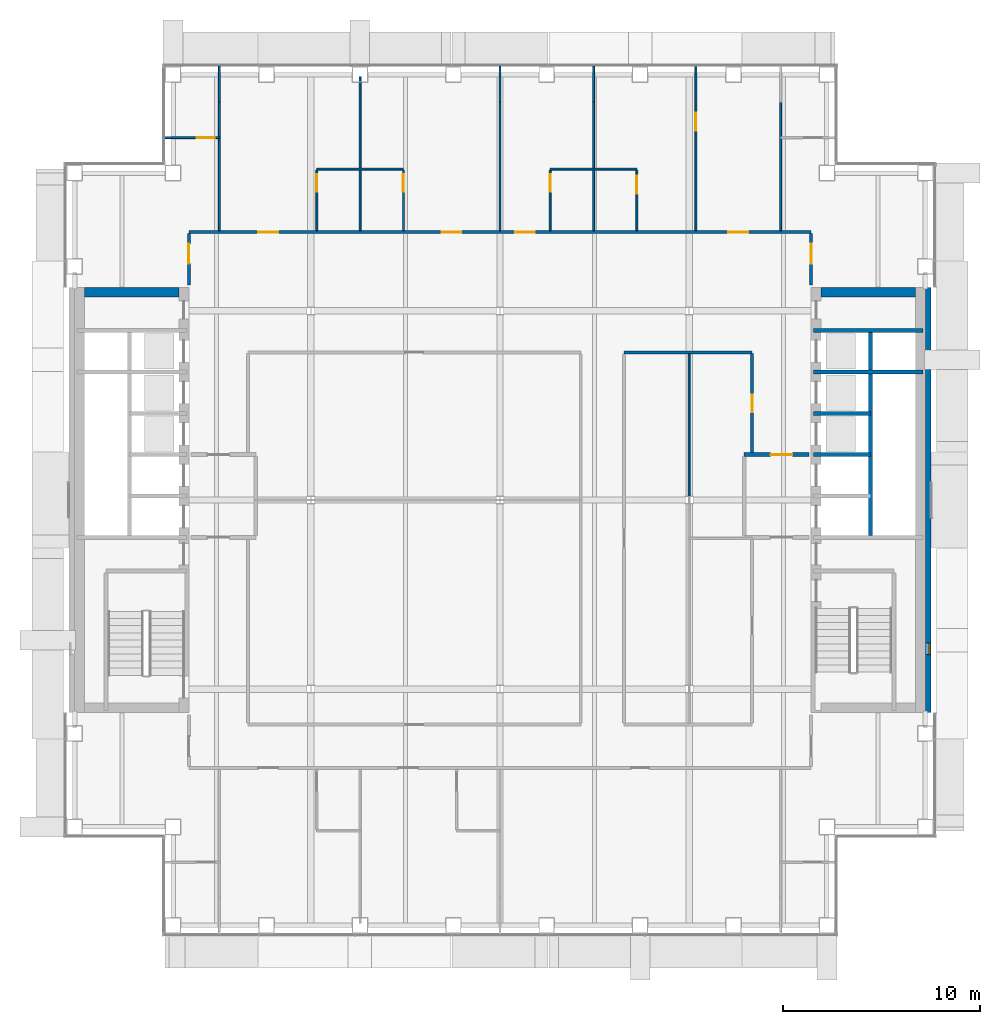
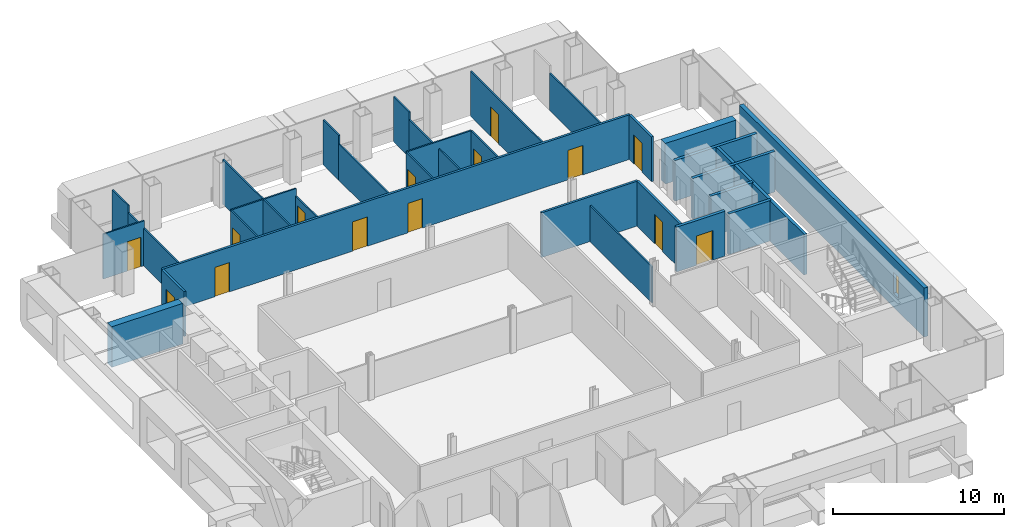
# One storey, part 14 of 21: 34 walls, 14 doors, 1 window, 15 openings.
"""IFC4 building model written with IfcOpenShell, lengths in metres."""

from ifc_helpers import new_model, si_unit, direction, frame, frame_2d, origin, place, context, subcontext, project, spatial, rectangle, extrude, material, layer, layer_set, type_object, element, fill, save


model = new_model("IFC4")

# Units and contexts
model_context = context("Model", 3, precision=1e-05, world=origin(), true_north=direction((0.0, 1.0)))
body_context = subcontext(model_context, "Body", "Model", "MODEL_VIEW")
ifc_project = project(units=[si_unit("LENGTHUNIT", "METRE"), si_unit("AREAUNIT", "SQUARE_METRE"), si_unit("VOLUMEUNIT", "CUBIC_METRE"), si_unit("PLANEANGLEUNIT", "RADIAN"), si_unit("MASSUNIT", "GRAM", prefix="KILO")], contexts=[model_context])

# Site, building, storey
site_placement = place(None, origin())
site = spatial("IfcSite", under=ifc_project, at=site_placement, CompositionType="ELEMENT")
building_placement = place(site_placement, origin())
building = spatial("IfcBuilding", under=site, at=building_placement, Name="Cobrizo Arcos Hotel Tower", CompositionType="ELEMENT")
storey_placement = place(building_placement, frame((0.0, 0.0, 183.0)))
storey = spatial("IfcBuildingStorey", under=building, at=storey_placement, Name="L47", CompositionType="ELEMENT", Elevation=183.0)

# Wall
ifc_material_1 = material(Name="Gypsum board partition")
ifc_layer_1 = layer(ifc_material_1, 0.14990234375)
ifc_layer_set_1 = layer_set([ifc_layer_1], Name="Corridor wall EI 60 150")
wall_type_1 = type_object("IfcWallType", Name="Corridor wall EI 60 150", PredefinedType="PARTITIONING", material=ifc_layer_set_1)
wall_1_placement = place(storey_placement, frame((6.300048828125, 7.5, 0.0), z_axis=(0.0, 0.0, 1.0), x_axis=(1.0, 0.0, 0.0)))
element("IfcWall", 1, at=wall_1_placement, inside=storey, type_object=wall_type_1, Name="Partition 031", PredefinedType="PARTITIONING", context=body_context, shape_type="SweptSolid", body=[
    extrude(rectangle(XDim=6.5, YDim=0.14990234375, at=frame_2d((3.25, 0.0))), origin(), (0.0, 0.0, 1.0), 3.199951171875),
])

# Wall, openings, doors
wall_2_placement = place(storey_placement, frame((-15.800048828125, 13.60009765625, 0.0), z_axis=(0.0, 0.0, 1.0), x_axis=(1.0, 0.0, 0.0)))
wall_2 = element("IfcWall", 2, at=wall_2_placement, inside=storey, type_object=wall_type_1, Name="Partition 034", PredefinedType="PARTITIONING", context=body_context, shape_type="SweptSolid", body=[
    extrude(rectangle(XDim=31.60009765625, YDim=0.14990234375, at=frame_2d((15.800048828125, 0.0))), origin(), (0.0, 0.0, 1.0), 3.199951171875),
])
opening_1_placement = place(wall_2_placement, frame((3.529052734375, 0.0, 0.0)))
opening_1 = element("IfcOpeningElement", 3, at=opening_1_placement, cuts=wall_2, Name="Opening GD-01", PredefinedType="OPENING", context=body_context, shape_type="SweptSolid", body=[
    extrude(rectangle(XDim=1.0, YDim=2.10009765625, at=frame_2d((0.5, 1.050048828125))), frame((0.0, 0.0869140625, 0.0), z_axis=(0.0, -1.0, 0.0), x_axis=(1.0, 0.0, 0.0)), (0.0, 0.0, 1.0), 0.173828125),
])
opening_2_placement = place(wall_2_placement, frame((12.843017578125, 0.0, 0.0)))
opening_2 = element("IfcOpeningElement", 4, at=opening_2_placement, cuts=wall_2, Name="Opening GD-02", PredefinedType="OPENING", context=body_context, shape_type="SweptSolid", body=[
    extrude(rectangle(XDim=1.0, YDim=2.10009765625, at=frame_2d((0.5, 1.050048828125))), frame((0.0, 0.0869140625, 0.0), z_axis=(0.0, -1.0, 0.0), x_axis=(1.0, 0.0, 0.0)), (0.0, 0.0, 1.0), 0.173828125),
])
opening_3_placement = place(wall_2_placement, frame((16.572021484375, 0.0, 0.0)))
opening_3 = element("IfcOpeningElement", 5, at=opening_3_placement, cuts=wall_2, Name="Opening GD-03", PredefinedType="OPENING", context=body_context, shape_type="SweptSolid", body=[
    extrude(rectangle(XDim=1.0, YDim=2.10009765625, at=frame_2d((0.5, 1.050048828125))), frame((0.0, 0.0869140625, 0.0), z_axis=(0.0, -1.0, 0.0), x_axis=(1.0, 0.0, 0.0)), (0.0, 0.0, 1.0), 0.173828125),
])
opening_4_placement = place(wall_2_placement, frame((27.39501953125, 0.0, 0.0)))
opening_4 = element("IfcOpeningElement", 6, at=opening_4_placement, cuts=wall_2, Name="Opening GD-04", PredefinedType="OPENING", context=body_context, shape_type="SweptSolid", body=[
    extrude(rectangle(XDim=1.0, YDim=2.10009765625, at=frame_2d((0.5, 1.050048828125))), frame((0.0, 0.0869140625, 0.0), z_axis=(0.0, -1.0, 0.0), x_axis=(1.0, 0.0, 0.0)), (0.0, 0.0, 1.0), 0.173828125),
])
ifc_material_2 = material(Name="Timber door leaf", Category="wood")
door_type_1 = type_object("IfcDoorType", Name="Guest room door FD30S 1000x2100", OperationType="SINGLE_SWING_LEFT", PredefinedType="DOOR", material=ifc_material_2)
door_1_placement = place(opening_1_placement, origin())
door_1 = element("IfcDoor", 7, at=door_1_placement, inside=storey, type_object=door_type_1, Name="Door GD-01", OperationType="SINGLE_SWING_RIGHT", OverallHeight=2.10009765625, OverallWidth=1.0, PredefinedType="DOOR", context=body_context, shape_type="SweptSolid", body=[
    extrude(rectangle(XDim=1.0, YDim=2.10009765625, at=frame_2d((0.5, 1.050048828125))), frame((0.0, 0.02490234375, 0.0), z_axis=(0.0, -1.0, 0.0), x_axis=(1.0, 0.0, 0.0)), (0.0, 0.0, 1.0), 0.050048828125),
])
fill(opening_1, door_1)
door_2_placement = place(opening_2_placement, origin())
door_2 = element("IfcDoor", 8, at=door_2_placement, inside=storey, type_object=door_type_1, Name="Door GD-02", OperationType="SINGLE_SWING_RIGHT", OverallHeight=2.10009765625, OverallWidth=1.0, PredefinedType="DOOR", context=body_context, shape_type="SweptSolid", body=[
    extrude(rectangle(XDim=1.0, YDim=2.10009765625, at=frame_2d((0.5, 1.050048828125))), frame((0.0, 0.02490234375, 0.0), z_axis=(0.0, -1.0, 0.0), x_axis=(1.0, 0.0, 0.0)), (0.0, 0.0, 1.0), 0.050048828125),
])
fill(opening_2, door_2)
door_3_placement = place(opening_3_placement, origin())
door_3 = element("IfcDoor", 9, at=door_3_placement, inside=storey, type_object=door_type_1, Name="Door GD-03", OperationType="SINGLE_SWING_RIGHT", OverallHeight=2.10009765625, OverallWidth=1.0, PredefinedType="DOOR", context=body_context, shape_type="SweptSolid", body=[
    extrude(rectangle(XDim=1.0, YDim=2.10009765625, at=frame_2d((0.5, 1.050048828125))), frame((0.0, 0.02490234375, 0.0), z_axis=(0.0, -1.0, 0.0), x_axis=(1.0, 0.0, 0.0)), (0.0, 0.0, 1.0), 0.050048828125),
])
fill(opening_3, door_3)
door_4_placement = place(opening_4_placement, origin())
door_4 = element("IfcDoor", 10, at=door_4_placement, inside=storey, type_object=door_type_1, Name="Door GD-04", OperationType="SINGLE_SWING_LEFT", OverallHeight=2.10009765625, OverallWidth=1.0, PredefinedType="DOOR", context=body_context, shape_type="SweptSolid", body=[
    extrude(rectangle(XDim=1.0, YDim=2.10009765625, at=frame_2d((0.5, 1.050048828125))), frame((0.0, 0.02490234375, 0.0), z_axis=(0.0, -1.0, 0.0), x_axis=(1.0, 0.0, 0.0)), (0.0, 0.0, 1.0), 0.050048828125),
])
fill(opening_4, door_4)

# Wall, opening, door
wall_3_placement = place(storey_placement, frame((-15.800048828125, 10.919921875, 0.0), z_axis=(0.0, 0.0, 1.0), x_axis=(0.0, 1.0, 0.0)))
wall_3 = element("IfcWall", 11, at=wall_3_placement, inside=storey, type_object=wall_type_1, Name="Partition 044", PredefinedType="PARTITIONING", context=body_context, shape_type="SweptSolid", body=[
    extrude(rectangle(XDim=2.60498046875, YDim=0.14990234375, at=frame_2d((1.302490234375, 0.0))), origin(), (0.0, 0.0, 1.0), 3.199951171875),
])
opening_5_placement = place(wall_3_placement, frame((1.080078125, 0.0, 0.0)))
opening_5 = element("IfcOpeningElement", 12, at=opening_5_placement, cuts=wall_3, Name="Opening GD-08", PredefinedType="OPENING", context=body_context, shape_type="SweptSolid", body=[
    extrude(rectangle(XDim=1.0, YDim=2.10009765625, at=frame_2d((0.5, 1.050048828125))), frame((0.0, 0.0869140625, 0.0), z_axis=(0.0, -1.0, 0.0), x_axis=(1.0, 0.0, 0.0)), (0.0, 0.0, 1.0), 0.173828125),
])
door_5_placement = place(opening_5_placement, origin())
door_5 = element("IfcDoor", 13, at=door_5_placement, inside=storey, type_object=door_type_1, Name="Door GD-08", OperationType="SINGLE_SWING_RIGHT", OverallHeight=2.10009765625, OverallWidth=1.0, PredefinedType="DOOR", context=body_context, shape_type="SweptSolid", body=[
    extrude(rectangle(XDim=1.0, YDim=2.10009765625, at=frame_2d((0.5, 1.050048828125))), frame((0.0, 0.02490234375, 0.0), z_axis=(0.0, -1.0, 0.0), x_axis=(1.0, 0.0, 0.0)), (0.0, 0.0, 1.0), 0.050048828125),
])
fill(opening_5, door_5)

wall_4_placement = place(storey_placement, frame((12.800048828125, 2.39990234375, 0.0), z_axis=(0.0, 0.0, 1.0), x_axis=(0.0, 1.0, 0.0)))
wall_4 = element("IfcWall", 14, at=wall_4_placement, inside=storey, type_object=wall_type_1, Name="Partition 078", PredefinedType="PARTITIONING", context=body_context, shape_type="SweptSolid", body=[
    extrude(rectangle(XDim=5.050048828125, YDim=0.14990234375, at=frame_2d((2.52490234375, 0.0))), origin(), (0.0, 0.0, 1.0), 3.199951171875),
])
opening_6_placement = place(wall_4_placement, frame((2.050048828125, 0.0, 0.0)))
opening_6 = element("IfcOpeningElement", 15, at=opening_6_placement, cuts=wall_4, Name="Opening ED-12", PredefinedType="OPENING", context=body_context, shape_type="SweptSolid", body=[
    extrude(rectangle(XDim=0.89990234375, YDim=2.10009765625, at=frame_2d((0.449951171875, 1.050048828125))), frame((0.0, 0.0869140625, 0.0), z_axis=(0.0, -1.0, 0.0), x_axis=(1.0, 0.0, 0.0)), (0.0, 0.0, 1.0), 0.173828125),
])
door_type_2 = type_object("IfcDoorType", Name="En-suite door 900x2100", OperationType="SINGLE_SWING_LEFT", PredefinedType="DOOR", material=ifc_material_2)
door_6_placement = place(opening_6_placement, origin())
door_6 = element("IfcDoor", 16, at=door_6_placement, inside=storey, type_object=door_type_2, Name="Door ED-12", OperationType="SINGLE_SWING_LEFT", OverallHeight=2.10009765625, OverallWidth=0.89990234375, PredefinedType="DOOR", context=body_context, shape_type="SweptSolid", body=[
    extrude(rectangle(XDim=0.89990234375, YDim=2.10009765625, at=frame_2d((0.449951171875, 1.050048828125))), frame((0.0, 0.02490234375, 0.0), z_axis=(0.0, -1.0, 0.0), x_axis=(1.0, 0.0, 0.0)), (0.0, 0.0, 1.0), 0.050048828125),
])
fill(opening_6, door_6)

wall_5_placement = place(storey_placement, frame((15.800048828125, 10.919921875, 0.0), z_axis=(0.0, 0.0, 1.0), x_axis=(0.0, 1.0, 0.0)))
wall_5 = element("IfcWall", 17, at=wall_5_placement, inside=storey, type_object=wall_type_1, Name="Partition 084", PredefinedType="PARTITIONING", context=body_context, shape_type="SweptSolid", body=[
    extrude(rectangle(XDim=2.60498046875, YDim=0.14990234375, at=frame_2d((1.302490234375, 0.0))), origin(), (0.0, 0.0, 1.0), 3.199951171875),
])
opening_7_placement = place(wall_5_placement, frame((1.080078125, 0.0, 0.0)))
opening_7 = element("IfcOpeningElement", 18, at=opening_7_placement, cuts=wall_5, Name="Opening GD-10", PredefinedType="OPENING", context=body_context, shape_type="SweptSolid", body=[
    extrude(rectangle(XDim=1.0, YDim=2.10009765625, at=frame_2d((0.5, 1.050048828125))), frame((0.0, 0.0869140625, 0.0), z_axis=(0.0, -1.0, 0.0), x_axis=(1.0, 0.0, 0.0)), (0.0, 0.0, 1.0), 0.173828125),
])
door_7_placement = place(opening_7_placement, origin())
door_7 = element("IfcDoor", 19, at=door_7_placement, inside=storey, type_object=door_type_1, Name="Door GD-10", OperationType="SINGLE_SWING_RIGHT", OverallHeight=2.10009765625, OverallWidth=1.0, PredefinedType="DOOR", context=body_context, shape_type="SweptSolid", body=[
    extrude(rectangle(XDim=1.0, YDim=2.10009765625, at=frame_2d((0.5, 1.050048828125))), frame((0.0, 0.02490234375, 0.0), z_axis=(0.0, -1.0, 0.0), x_axis=(1.0, 0.0, 0.0)), (0.0, 0.0, 1.0), 0.050048828125),
])
fill(opening_7, door_7)

# Wall, opening, window
ifc_material_3 = material(Name="Aluminium composite panel pale metal", Category="aluminium")
ifc_layer_2 = layer(ifc_material_3, 0.27490234375)
ifc_layer_set_2 = layer_set([ifc_layer_2], Name="EW-1 insulated panel wall 275")
wall_type_2 = type_object("IfcWallType", Name="EW-1 insulated panel wall 275", PredefinedType="SOLIDWALL", material=ifc_layer_set_2)
wall_6_placement = place(storey_placement, frame((21.737548828125, -10.800048828125, 0.0), z_axis=(0.0, 0.0, 1.0), x_axis=(0.0, 1.0, 0.0)))
wall_6 = element("IfcWall", 20, at=wall_6_placement, inside=storey, type_object=wall_type_2, Name="Core face wall L47 E", PredefinedType="SOLIDWALL", context=body_context, shape_type="SweptSolid", body=[
    extrude(rectangle(XDim=21.60009765625, YDim=0.27490234375, at=frame_2d((10.800048828125, 0.0))), origin(), (0.0, 0.0, 1.0), 3.5),
])
opening_8_placement = place(wall_6_placement, frame((2.949951171875, 0.0, 1.0)))
opening_8 = element("IfcOpeningElement", 21, at=opening_8_placement, cuts=wall_6, Name="Opening W-101", PredefinedType="OPENING", context=body_context, shape_type="SweptSolid", body=[
    extrude(rectangle(XDim=0.60009765625, YDim=1.5, at=frame_2d((0.300048828125, 0.75))), frame((0.0, 0.1494140625, 0.0), z_axis=(0.0, -1.0, 0.0), x_axis=(1.0, 0.0, 0.0)), (0.0, 0.0, 1.0), 0.298828125),
])
ifc_material_4 = material(Name="Aluminium 6063-T6 and clear laminated glass", Category="aluminium")
window_type = type_object("IfcWindowType", Name="W-C1 core stair slot window 600x1500", PartitioningType="SINGLE_PANEL", PredefinedType="WINDOW", material=ifc_material_4)
window_placement = place(opening_8_placement, origin())
window = element("IfcWindow", 22, at=window_placement, inside=storey, type_object=window_type, Name="Core face wall L47 E window W-101", OverallHeight=1.5, OverallWidth=0.60009765625, PartitioningType="SINGLE_PANEL", PredefinedType="WINDOW", context=body_context, shape_type="SweptSolid", body=[
    extrude(rectangle(XDim=0.60009765625, YDim=1.5, at=frame_2d((0.300048828125, 0.75))), frame((0.0, -0.04736328125, 0.0), z_axis=(0.0, -1.0, 0.0), x_axis=(1.0, 0.0, 0.0)), (0.0, 0.0, 1.0), 0.06005859375),
])
fill(opening_8, window)

# Walls
ifc_layer_3 = layer(ifc_material_1, 0.10009765625)
ifc_layer_set_3 = layer_set([ifc_layer_3], Name="Partition EI 30 100")
wall_type_3 = type_object("IfcWallType", Name="Partition EI 30 100", PredefinedType="PARTITIONING", material=ifc_layer_set_3)
wall_7_placement = place(storey_placement, frame((-9.300048828125, 16.800048828125, 0.0), z_axis=(0.0, 0.0, 1.0), x_axis=(1.0, 0.0, 0.0)))
element("IfcWall", 23, at=wall_7_placement, inside=storey, type_object=wall_type_3, Name="Partition 035", PredefinedType="PARTITIONING", context=body_context, shape_type="SweptSolid", body=[
    extrude(rectangle(XDim=4.400146484375, YDim=0.10009765625, at=frame_2d((2.2001953125, 0.0))), origin(), (0.0, 0.0, 1.0), 3.199951171875),
])
wall_8_placement = place(storey_placement, frame((2.550048828125, 16.800048828125, 0.0), z_axis=(0.0, 0.0, 1.0), x_axis=(1.0, 0.0, 0.0)))
element("IfcWall", 24, at=wall_8_placement, inside=storey, type_object=wall_type_3, Name="Partition 036", PredefinedType="PARTITIONING", context=body_context, shape_type="SweptSolid", body=[
    extrude(rectangle(XDim=4.39990234375, YDim=0.10009765625, at=frame_2d((2.199951171875, 0.0))), origin(), (0.0, 0.0, 1.0), 3.199951171875),
])

# Wall, opening, door
wall_9_placement = place(storey_placement, frame((-17.030029296875, 18.39990234375, 0.0), z_axis=(0.0, 0.0, 1.0), x_axis=(1.0, 0.0, 0.0)))
wall_9 = element("IfcWall", 25, at=wall_9_placement, inside=storey, type_object=wall_type_3, Name="Partition 037", PredefinedType="PARTITIONING", context=body_context, shape_type="SweptSolid", body=[
    extrude(rectangle(XDim=2.780029296875, YDim=0.10009765625, at=frame_2d((1.39013671875, 0.0))), origin(), (0.0, 0.0, 1.0), 3.199951171875),
])
opening_9_placement = place(wall_9_placement, frame((1.639892578125, 0.0, 0.0)))
opening_9 = element("IfcOpeningElement", 26, at=opening_9_placement, cuts=wall_9, Name="Opening ED-08", PredefinedType="OPENING", context=body_context, shape_type="SweptSolid", body=[
    extrude(rectangle(XDim=0.89990234375, YDim=2.10009765625, at=frame_2d((0.449951171875, 1.050048828125))), frame((0.0, 0.06201171875, 0.0), z_axis=(0.0, -1.0, 0.0), x_axis=(1.0, 0.0, 0.0)), (0.0, 0.0, 1.0), 0.1240234375),
])
door_8_placement = place(opening_9_placement, origin())
door_8 = element("IfcDoor", 27, at=door_8_placement, inside=storey, type_object=door_type_2, Name="Door ED-08", OperationType="SINGLE_SWING_RIGHT", OverallHeight=2.10009765625, OverallWidth=0.89990234375, PredefinedType="DOOR", context=body_context, shape_type="SweptSolid", body=[
    extrude(rectangle(XDim=0.89990234375, YDim=2.10009765625, at=frame_2d((0.449951171875, 1.050048828125))), frame((0.0, 0.02490234375, 0.0), z_axis=(0.0, -1.0, 0.0), x_axis=(1.0, 0.0, 0.0)), (0.0, 0.0, 1.0), 0.050048828125),
])
fill(opening_9, door_8)

# Walls
wall_10_placement = place(storey_placement, frame((-14.25, 13.675048828125, 0.0), z_axis=(0.0, 0.0, 1.0), x_axis=(0.0, 1.0, 0.0)))
element("IfcWall", 28, at=wall_10_placement, inside=storey, type_object=wall_type_3, Name="Partition 047", PredefinedType="PARTITIONING", context=body_context, shape_type="SweptSolid", body=[
    extrude(rectangle(XDim=6.52490234375, YDim=0.10009765625, at=frame_2d((3.262451171875, 0.0))), origin(), (0.0, 0.0, 1.0), 2.6669921875),
])
wall_11_placement = place(storey_placement, frame((-14.25, 20.199462890625, 0.0), z_axis=(0.0, 0.0, 1.0), x_axis=(0.0, 1.0, 0.0)))
element("IfcWall", 29, at=wall_11_placement, inside=storey, type_object=wall_type_3, Name="Partition 048", PredefinedType="PARTITIONING", context=body_context, shape_type="SweptSolid", body=[
    extrude(rectangle(XDim=1.83056640625, YDim=0.10009765625, at=frame_2d((0.915283203125, 0.0))), origin(), (0.0, 0.0, 1.0), 3.199951171875),
])

# Wall, opening, door
wall_12_placement = place(storey_placement, frame((-9.300048828125, 13.675048828125, 0.0), z_axis=(0.0, 0.0, 1.0), x_axis=(0.0, 1.0, 0.0)))
wall_12 = element("IfcWall", 30, at=wall_12_placement, inside=storey, type_object=wall_type_3, Name="Partition 053", PredefinedType="PARTITIONING", context=body_context, shape_type="SweptSolid", body=[
    extrude(rectangle(XDim=3.074951171875, YDim=0.10009765625, at=frame_2d((1.53759765625, 0.0))), origin(), (0.0, 0.0, 1.0), 3.199951171875),
])
opening_10_placement = place(wall_12_placement, frame((1.970947265625, 0.0, 0.0)))
opening_10 = element("IfcOpeningElement", 31, at=opening_10_placement, cuts=wall_12, Name="Opening ED-01", PredefinedType="OPENING", context=body_context, shape_type="SweptSolid", body=[
    extrude(rectangle(XDim=0.89990234375, YDim=2.10009765625, at=frame_2d((0.449951171875, 1.050048828125))), frame((0.0, 0.06201171875, 0.0), z_axis=(0.0, -1.0, 0.0), x_axis=(1.0, 0.0, 0.0)), (0.0, 0.0, 1.0), 0.1240234375),
])
door_9_placement = place(opening_10_placement, origin())
door_9 = element("IfcDoor", 32, at=door_9_placement, inside=storey, type_object=door_type_2, Name="Door ED-01", OperationType="SINGLE_SWING_LEFT", OverallHeight=2.10009765625, OverallWidth=0.89990234375, PredefinedType="DOOR", context=body_context, shape_type="SweptSolid", body=[
    extrude(rectangle(XDim=0.89990234375, YDim=2.10009765625, at=frame_2d((0.449951171875, 1.050048828125))), frame((0.0, 0.02490234375, 0.0), z_axis=(0.0, -1.0, 0.0), x_axis=(1.0, 0.0, 0.0)), (0.0, 0.0, 1.0), 0.050048828125),
])
fill(opening_10, door_9)

# Walls
wall_13_placement = place(storey_placement, frame((-7.10009765625, 13.675048828125, 0.0), z_axis=(0.0, 0.0, 1.0), x_axis=(0.0, 1.0, 0.0)))
element("IfcWall", 33, at=wall_13_placement, inside=storey, type_object=wall_type_3, Name="Partition 055", PredefinedType="PARTITIONING", context=body_context, shape_type="SweptSolid", body=[
    extrude(rectangle(XDim=3.074951171875, YDim=0.10009765625, at=frame_2d((1.53759765625, 0.0))), origin(), (0.0, 0.0, 1.0), 3.199951171875),
])
wall_14_placement = place(storey_placement, frame((-7.10009765625, 16.85009765625, 0.0), z_axis=(0.0, 0.0, 1.0), x_axis=(0.0, 1.0, 0.0)))
element("IfcWall", 34, at=wall_14_placement, inside=storey, type_object=wall_type_3, Name="Partition 056", PredefinedType="PARTITIONING", context=body_context, shape_type="SweptSolid", body=[
    extrude(rectangle(XDim=4.6298828125, YDim=0.10009765625, at=frame_2d((2.31494140625, 0.0))), origin(), (0.0, 0.0, 1.0), 3.199951171875),
])

# Wall, opening, door
wall_15_placement = place(storey_placement, frame((-4.89990234375, 13.675048828125, 0.0), z_axis=(0.0, 0.0, 1.0), x_axis=(0.0, 1.0, 0.0)))
wall_15 = element("IfcWall", 35, at=wall_15_placement, inside=storey, type_object=wall_type_3, Name="Partition 057", PredefinedType="PARTITIONING", context=body_context, shape_type="SweptSolid", body=[
    extrude(rectangle(XDim=3.074951171875, YDim=0.10009765625, at=frame_2d((1.53759765625, 0.0))), origin(), (0.0, 0.0, 1.0), 2.6669921875),
])
opening_11_placement = place(wall_15_placement, frame((1.970947265625, 0.0, 0.0)))
opening_11 = element("IfcOpeningElement", 36, at=opening_11_placement, cuts=wall_15, Name="Opening ED-02", PredefinedType="OPENING", context=body_context, shape_type="SweptSolid", body=[
    extrude(rectangle(XDim=0.89990234375, YDim=2.10009765625, at=frame_2d((0.449951171875, 1.050048828125))), frame((0.0, 0.06201171875, 0.0), z_axis=(0.0, -1.0, 0.0), x_axis=(1.0, 0.0, 0.0)), (0.0, 0.0, 1.0), 0.1240234375),
])
door_10_placement = place(opening_11_placement, origin())
door_10 = element("IfcDoor", 37, at=door_10_placement, inside=storey, type_object=door_type_2, Name="Door ED-02", OperationType="SINGLE_SWING_RIGHT", OverallHeight=2.10009765625, OverallWidth=0.89990234375, PredefinedType="DOOR", context=body_context, shape_type="SweptSolid", body=[
    extrude(rectangle(XDim=0.89990234375, YDim=2.10009765625, at=frame_2d((0.449951171875, 1.050048828125))), frame((0.0, 0.02490234375, 0.0), z_axis=(0.0, -1.0, 0.0), x_axis=(1.0, 0.0, 0.0)), (0.0, 0.0, 1.0), 0.050048828125),
])
fill(opening_11, door_10)

# Walls
wall_16_placement = place(storey_placement, frame((0.0, 13.675048828125, 0.0), z_axis=(0.0, 0.0, 1.0), x_axis=(0.0, 1.0, 0.0)))
element("IfcWall", 38, at=wall_16_placement, inside=storey, type_object=wall_type_3, Name="Partition 061", PredefinedType="PARTITIONING", context=body_context, shape_type="SweptSolid", body=[
    extrude(rectangle(XDim=6.52490234375, YDim=0.10009765625, at=frame_2d((3.262451171875, 0.0))), origin(), (0.0, 0.0, 1.0), 2.577880859375),
])
wall_17_placement = place(storey_placement, frame((0.0, 20.199462890625, 0.0), z_axis=(0.0, 0.0, 1.0), x_axis=(0.0, 1.0, 0.0)))
element("IfcWall", 39, at=wall_17_placement, inside=storey, type_object=wall_type_3, Name="Partition 062", PredefinedType="PARTITIONING", context=body_context, shape_type="SweptSolid", body=[
    extrude(rectangle(XDim=1.83056640625, YDim=0.10009765625, at=frame_2d((0.915283203125, 0.0))), origin(), (0.0, 0.0, 1.0), 3.199951171875),
])

# Wall, opening, door
wall_18_placement = place(storey_placement, frame((2.550048828125, 13.675048828125, 0.0), z_axis=(0.0, 0.0, 1.0), x_axis=(0.0, 1.0, 0.0)))
wall_18 = element("IfcWall", 40, at=wall_18_placement, inside=storey, type_object=wall_type_3, Name="Partition 063", PredefinedType="PARTITIONING", context=body_context, shape_type="SweptSolid", body=[
    extrude(rectangle(XDim=3.074951171875, YDim=0.10009765625, at=frame_2d((1.53759765625, 0.0))), origin(), (0.0, 0.0, 1.0), 3.199951171875),
])
opening_12_placement = place(wall_18_placement, frame((1.970947265625, 0.0, 0.0)))
opening_12 = element("IfcOpeningElement", 41, at=opening_12_placement, cuts=wall_18, Name="Opening ED-03", PredefinedType="OPENING", context=body_context, shape_type="SweptSolid", body=[
    extrude(rectangle(XDim=0.89990234375, YDim=2.10009765625, at=frame_2d((0.449951171875, 1.050048828125))), frame((0.0, 0.06201171875, 0.0), z_axis=(0.0, -1.0, 0.0), x_axis=(1.0, 0.0, 0.0)), (0.0, 0.0, 1.0), 0.1240234375),
])
door_11_placement = place(opening_12_placement, origin())
door_11 = element("IfcDoor", 42, at=door_11_placement, inside=storey, type_object=door_type_2, Name="Door ED-03", OperationType="SINGLE_SWING_RIGHT", OverallHeight=2.10009765625, OverallWidth=0.89990234375, PredefinedType="DOOR", context=body_context, shape_type="SweptSolid", body=[
    extrude(rectangle(XDim=0.89990234375, YDim=2.10009765625, at=frame_2d((0.449951171875, 1.050048828125))), frame((0.0, 0.02490234375, 0.0), z_axis=(0.0, -1.0, 0.0), x_axis=(1.0, 0.0, 0.0)), (0.0, 0.0, 1.0), 0.050048828125),
])
fill(opening_12, door_11)

# Walls
wall_19_placement = place(storey_placement, frame((4.75, 13.675048828125, 0.0), z_axis=(0.0, 0.0, 1.0), x_axis=(0.0, 1.0, 0.0)))
element("IfcWall", 43, at=wall_19_placement, inside=storey, type_object=wall_type_3, Name="Partition 065", PredefinedType="PARTITIONING", context=body_context, shape_type="SweptSolid", body=[
    extrude(rectangle(XDim=3.074951171875, YDim=0.10009765625, at=frame_2d((1.53759765625, 0.0))), origin(), (0.0, 0.0, 1.0), 2.6669921875),
])
wall_20_placement = place(storey_placement, frame((4.75, 16.85009765625, 0.0), z_axis=(0.0, 0.0, 1.0), x_axis=(0.0, 1.0, 0.0)))
element("IfcWall", 44, at=wall_20_placement, inside=storey, type_object=wall_type_3, Name="Partition 066", PredefinedType="PARTITIONING", context=body_context, shape_type="SweptSolid", body=[
    extrude(rectangle(XDim=3.349853515625, YDim=0.10009765625, at=frame_2d((1.6748046875, 0.0))), origin(), (0.0, 0.0, 1.0), 2.6669921875),
])
wall_21_placement = place(storey_placement, frame((4.75, 20.199462890625, 0.0), z_axis=(0.0, 0.0, 1.0), x_axis=(0.0, 1.0, 0.0)))
element("IfcWall", 45, at=wall_21_placement, inside=storey, type_object=wall_type_3, Name="Partition 067", PredefinedType="PARTITIONING", context=body_context, shape_type="SweptSolid", body=[
    extrude(rectangle(XDim=1.83056640625, YDim=0.10009765625, at=frame_2d((0.915283203125, 0.0))), origin(), (0.0, 0.0, 1.0), 3.199951171875),
])

# Wall, opening, door
wall_22_placement = place(storey_placement, frame((6.949951171875, 13.675048828125, 0.0), z_axis=(0.0, 0.0, 1.0), x_axis=(0.0, 1.0, 0.0)))
wall_22 = element("IfcWall", 46, at=wall_22_placement, inside=storey, type_object=wall_type_3, Name="Partition 069", PredefinedType="PARTITIONING", context=body_context, shape_type="SweptSolid", body=[
    extrude(rectangle(XDim=3.074951171875, YDim=0.10009765625, at=frame_2d((1.53759765625, 0.0))), origin(), (0.0, 0.0, 1.0), 3.199951171875),
])
opening_13_placement = place(wall_22_placement, frame((1.875, 0.0, 0.0)))
opening_13 = element("IfcOpeningElement", 47, at=opening_13_placement, cuts=wall_22, Name="Opening ED-04", PredefinedType="OPENING", context=body_context, shape_type="SweptSolid", body=[
    extrude(rectangle(XDim=0.89990234375, YDim=2.10009765625, at=frame_2d((0.449951171875, 1.050048828125))), frame((0.0, 0.06201171875, 0.0), z_axis=(0.0, -1.0, 0.0), x_axis=(1.0, 0.0, 0.0)), (0.0, 0.0, 1.0), 0.1240234375),
])
door_12_placement = place(opening_13_placement, origin())
door_12 = element("IfcDoor", 48, at=door_12_placement, inside=storey, type_object=door_type_2, Name="Door ED-04", OperationType="SINGLE_SWING_LEFT", OverallHeight=2.10009765625, OverallWidth=0.89990234375, PredefinedType="DOOR", context=body_context, shape_type="SweptSolid", body=[
    extrude(rectangle(XDim=0.89990234375, YDim=2.10009765625, at=frame_2d((0.449951171875, 1.050048828125))), frame((0.0, 0.02490234375, 0.0), z_axis=(0.0, -1.0, 0.0), x_axis=(1.0, 0.0, 0.0)), (0.0, 0.0, 1.0), 0.050048828125),
])
fill(opening_13, door_12)

# Wall
wall_23_placement = place(storey_placement, frame((9.60009765625, 0.18701171875, 0.0), z_axis=(0.0, 0.0, 1.0), x_axis=(0.0, 1.0, 0.0)))
element("IfcWall", 49, at=wall_23_placement, inside=storey, type_object=wall_type_3, Name="Partition 074", PredefinedType="PARTITIONING", context=body_context, shape_type="SweptSolid", body=[
    extrude(rectangle(XDim=7.238037109375, YDim=0.10009765625, at=frame_2d((3.619140625, 0.0))), origin(), (0.0, 0.0, 1.0), 2.577880859375),
])

# Wall, opening, door
wall_24_placement = place(storey_placement, frame((9.949951171875, 13.675048828125, 0.0), z_axis=(0.0, 0.0, 1.0), x_axis=(0.0, 1.0, 0.0)))
wall_24 = element("IfcWall", 50, at=wall_24_placement, inside=storey, type_object=wall_type_3, Name="Partition 075", PredefinedType="PARTITIONING", context=body_context, shape_type="SweptSolid", body=[
    extrude(rectangle(XDim=8.35498046875, YDim=0.10009765625, at=frame_2d((4.177490234375, 0.0))), origin(), (0.0, 0.0, 1.0), 3.199951171875),
])
opening_14_placement = place(wall_24_placement, frame((5.074951171875, 0.0, 0.0)))
opening_14 = element("IfcOpeningElement", 51, at=opening_14_placement, cuts=wall_24, Name="Opening RD-03", PredefinedType="OPENING", context=body_context, shape_type="SweptSolid", body=[
    extrude(rectangle(XDim=0.89990234375, YDim=2.10009765625, at=frame_2d((0.449951171875, 1.050048828125))), frame((0.0, 0.06201171875, 0.0), z_axis=(0.0, -1.0, 0.0), x_axis=(1.0, 0.0, 0.0)), (0.0, 0.0, 1.0), 0.1240234375),
])
door_type_3 = type_object("IfcDoorType", Name="Room door FD30 900x2100", OperationType="SINGLE_SWING_LEFT", PredefinedType="DOOR", material=ifc_material_2)
door_13_placement = place(opening_14_placement, origin())
door_13 = element("IfcDoor", 52, at=door_13_placement, inside=storey, type_object=door_type_3, Name="Door RD-03", OperationType="SINGLE_SWING_RIGHT", OverallHeight=2.10009765625, OverallWidth=0.89990234375, PredefinedType="DOOR", context=body_context, shape_type="SweptSolid", body=[
    extrude(rectangle(XDim=0.89990234375, YDim=2.10009765625, at=frame_2d((0.449951171875, 1.050048828125))), frame((0.0, 0.02490234375, 0.0), z_axis=(0.0, -1.0, 0.0), x_axis=(1.0, 0.0, 0.0)), (0.0, 0.0, 1.0), 0.050048828125),
])
fill(opening_14, door_13)

# Walls
wall_25_placement = place(storey_placement, frame((14.25, 13.675048828125, 0.0), z_axis=(0.0, 0.0, 1.0), x_axis=(0.0, 1.0, 0.0)))
element("IfcWall", 53, at=wall_25_placement, inside=storey, type_object=wall_type_3, Name="Partition 081", PredefinedType="PARTITIONING", context=body_context, shape_type="SweptSolid", body=[
    extrude(rectangle(XDim=6.52490234375, YDim=0.10009765625, at=frame_2d((3.262451171875, 0.0))), origin(), (0.0, 0.0, 1.0), 2.6669921875),
])
ifc_material_5 = material(Name="Concrete f'c 50 MPa", Category="concrete")
ifc_layer_4 = layer(ifc_material_5, 0.5)
ifc_layer_set_4 = layer_set([ifc_layer_4], Name="RC core wall 500 f'c 50")
wall_type_4 = type_object("IfcWallType", Name="RC core wall 500 f'c 50", PredefinedType="SHEAR", material=ifc_layer_set_4)
for number, where, z_axis, x_axis, name in (
    (54, (16.300048828125, 10.550048828125, 0.0), (0.0, 0.0, 1.0), (1.0, 0.0, 0.0), "Core wall CW3, east core, north end, L47"),
    (55, (-21.10009765625, 10.550048828125, 0.0), (0.0, 0.0, 1.0), (1.0, 0.0, 0.0), "Core wall CW3, west core, north end, L47"),
):
    element("IfcWall", number, at=place(storey_placement, frame(where, z_axis=z_axis, x_axis=x_axis)), inside=storey, type_object=wall_type_4, Name=name, PredefinedType="SHEAR", context=body_context, shape_type="SweptSolid", body=[
        extrude(rectangle(XDim=4.800048828125, YDim=0.5, at=frame_2d((2.39990234375, 0.0))), origin(), (0.0, 0.0, 1.0), 2.89990234375),
    ])

# Wall, opening, door
ifc_layer_5 = layer(ifc_material_1, 0.199951171875)
ifc_layer_set_5 = layer_set([ifc_layer_5], Name="Shaft wall EI 120 200")
wall_type_5 = type_object("IfcWallType", Name="Shaft wall EI 120 200", PredefinedType="PARTITIONING", material=ifc_layer_set_5)
wall_26_placement = place(storey_placement, frame((12.39990234375, 2.300048828125, 0.0), z_axis=(0.0, 0.0, 1.0), x_axis=(1.0, 0.0, 0.0)))
wall_26 = element("IfcWall", 56, at=wall_26_placement, inside=storey, type_object=wall_type_5, Name="Partition 024", PredefinedType="PARTITIONING", context=body_context, shape_type="SweptSolid", body=[
    extrude(rectangle(XDim=3.280029296875, YDim=0.199951171875, at=frame_2d((1.64013671875, 0.0))), origin(), (0.0, 0.0, 1.0), 3.199951171875),
])
opening_15_placement = place(wall_26_placement, frame((1.340087890625, 0.0, 0.0)))
opening_15 = element("IfcOpeningElement", 57, at=opening_15_placement, cuts=wall_26, Name="Opening FD-05", PredefinedType="OPENING", context=body_context, shape_type="SweptSolid", body=[
    extrude(rectangle(XDim=1.10009765625, YDim=2.10009765625, at=frame_2d((0.550048828125, 1.050048828125))), frame((0.0, 0.112060546875, 0.0), z_axis=(0.0, -1.0, 0.0), x_axis=(1.0, 0.0, 0.0)), (0.0, 0.0, 1.0), 0.223876953125),
])
ifc_material_6 = material(Name="Steel door leaf", Category="steel")
door_type_4 = type_object("IfcDoorType", Name="Fire door FD60 1100x2100", OperationType="SINGLE_SWING_LEFT", PredefinedType="DOOR", material=ifc_material_6)
door_14_placement = place(opening_15_placement, origin())
door_14 = element("IfcDoor", 58, at=door_14_placement, inside=storey, type_object=door_type_4, Name="Door FD-05", OperationType="SINGLE_SWING_RIGHT", OverallHeight=2.10009765625, OverallWidth=1.10009765625, PredefinedType="DOOR", context=body_context, shape_type="SweptSolid", body=[
    extrude(rectangle(XDim=1.10009765625, YDim=2.10009765625, at=frame_2d((0.550048828125, 1.050048828125))), frame((0.0, 0.02490234375, 0.0), z_axis=(0.0, -1.0, 0.0), x_axis=(1.0, 0.0, 0.0)), (0.0, 0.0, 1.0), 0.050048828125),
])
fill(opening_15, door_14)

# Walls
for number, where, z_axis, x_axis, name in (
    (59, (15.919921875, 2.300048828125, 0.0), (0.0, 0.0, 1.0), (1.0, 0.0, 0.0), "Partition 025"),
    (60, (15.919921875, 4.39990234375, 0.0), (0.0, 0.0, 1.0), (1.0, 0.0, 0.0), "Partition 027"),
):
    element("IfcWall", number, at=place(storey_placement, frame(where, z_axis=z_axis, x_axis=x_axis)), inside=storey, type_object=wall_type_5, Name=name, PredefinedType="PARTITIONING", context=body_context, shape_type="SweptSolid", body=[
        extrude(rectangle(XDim=2.880126953125, YDim=0.199951171875, at=frame_2d((1.43994140625, 0.0))), origin(), (0.0, 0.0, 1.0), 2.89990234375),
    ])
for number, where, z_axis, x_axis, name in (
    (61, (15.919921875, 6.5, 0.0), (0.0, 0.0, 1.0), (1.0, 0.0, 0.0), "Partition 029"),
    (62, (15.919921875, 8.60009765625, 0.0), (0.0, 0.0, 1.0), (1.0, 0.0, 0.0), "Partition 033"),
):
    element("IfcWall", number, at=place(storey_placement, frame(where, z_axis=z_axis, x_axis=x_axis)), inside=storey, type_object=wall_type_5, Name=name, PredefinedType="PARTITIONING", context=body_context, shape_type="SweptSolid", body=[
        extrude(rectangle(XDim=5.56005859375, YDim=0.199951171875, at=frame_2d((2.780029296875, 0.0))), origin(), (0.0, 0.0, 1.0), 2.89990234375),
    ])
wall_27_placement = place(storey_placement, frame((18.800048828125, -1.800048828125, 0.0), z_axis=(0.0, 0.0, 1.0), x_axis=(0.0, 1.0, 0.0)))
element("IfcWall", 63, at=wall_27_placement, inside=storey, type_object=wall_type_5, Name="Partition 085", PredefinedType="PARTITIONING", context=body_context, shape_type="SweptSolid", body=[
    extrude(rectangle(XDim=8.199951171875, YDim=0.199951171875, at=frame_2d((4.10009765625, 0.0))), origin(), (0.0, 0.0, 1.0), 2.89990234375),
])
wall_28_placement = place(storey_placement, frame((18.800048828125, 6.60009765625, 0.0), z_axis=(0.0, 0.0, 1.0), x_axis=(0.0, 1.0, 0.0)))
element("IfcWall", 64, at=wall_28_placement, inside=storey, type_object=wall_type_5, Name="Partition 086", PredefinedType="PARTITIONING", context=body_context, shape_type="SweptSolid", body=[
    extrude(rectangle(XDim=1.89990234375, YDim=0.199951171875, at=frame_2d((0.949951171875, 0.0))), origin(), (0.0, 0.0, 1.0), 2.89990234375),
])

save(model, "model.ifc")
